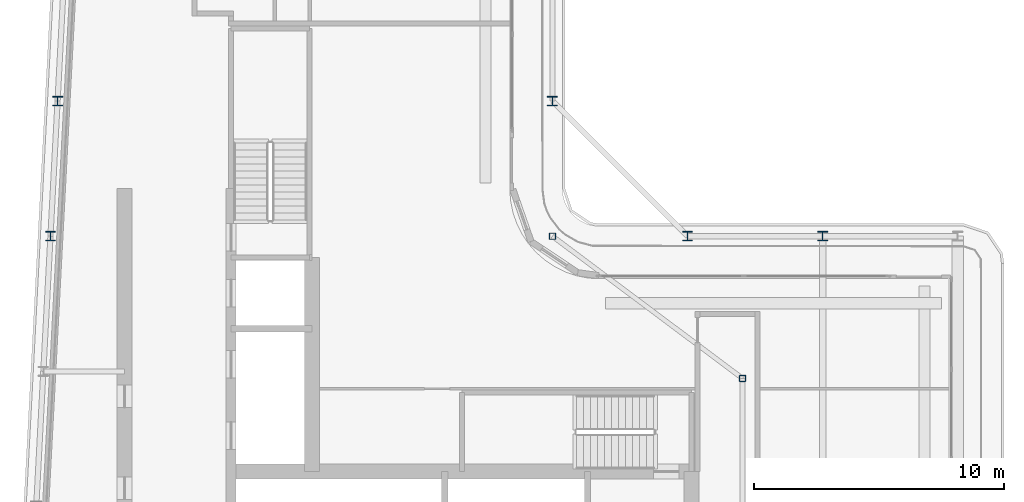
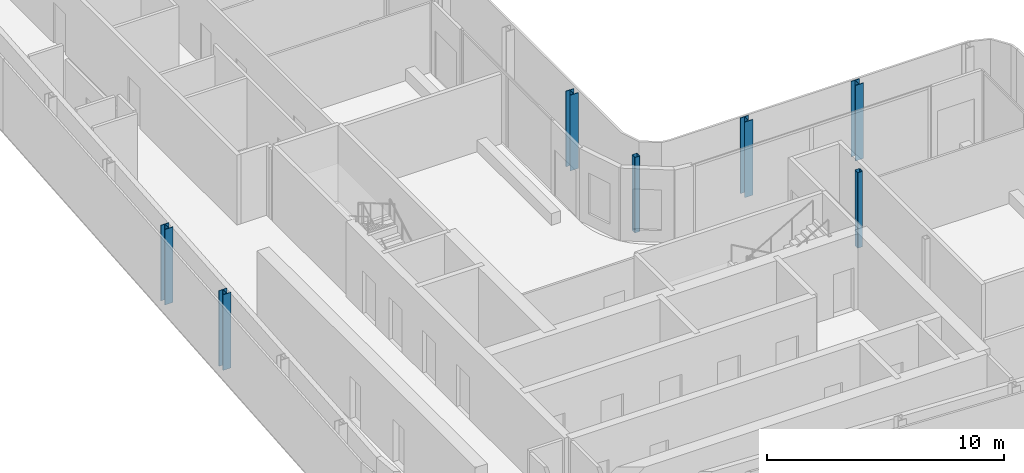
# One storey, part 2 of 21: 7 columns.
"""IFC4 building model written with IfcOpenShell, lengths in metres."""

from ifc_helpers import new_model, si_unit, direction, frame, origin, origin_2d, place, context, subcontext, project, spatial, hollow_rectangle, i_section, extrude, material, material_profile, profile_set, type_object, element, save


model = new_model("IFC4")

# Units and contexts
model_context = context("Model", 3, precision=1e-05, world=origin(), true_north=direction((0.0, 1.0)))
body_context = subcontext(model_context, "Body", "Model", "MODEL_VIEW")
ifc_project = project(units=[si_unit("LENGTHUNIT", "METRE"), si_unit("AREAUNIT", "SQUARE_METRE"), si_unit("VOLUMEUNIT", "CUBIC_METRE"), si_unit("PLANEANGLEUNIT", "RADIAN"), si_unit("MASSUNIT", "GRAM", prefix="KILO")], contexts=[model_context])

# Site, building, storey
site_placement = place(None, origin())
site = spatial("IfcSite", under=ifc_project, at=site_placement, CompositionType="ELEMENT")
building_placement = place(site_placement, origin())
building = spatial("IfcBuilding", under=site, at=building_placement, Name="Kheshtan School and Residences Tower", CompositionType="ELEMENT")
storey_placement = place(building_placement, frame((0.0, 0.0, 282.5)))
storey = spatial("IfcBuildingStorey", under=building, at=storey_placement, Name="L66", CompositionType="ELEMENT", Elevation=282.5)

# Columns
ifc_material_1 = material(Name="Steel ASTM A992 Grade 50", Category="steel")
ifc_material_profile_1 = material_profile(ifc_material_1, i_section(OverallWidth=0.39501953125, OverallDepth=0.3798828125, WebThickness=0.018798828125, FlangeThickness=0.0302734375, FilletRadius=0.011474609375, at=origin_2d()), Name="W360x237")
ifc_profile_set_1 = profile_set([ifc_material_profile_1], Name="Steel ASTM A992 Grade 50")
column_type_1 = type_object("IfcColumnType", Name="Column C5 W360x237 ASTM A992 Grade 50", PredefinedType="COLUMN", material=ifc_profile_set_1)
for number, where, z_axis, x_axis, name in (
    (1, (27.537109375, 45.60009765625, 0.0), (0.0, 0.0, 1.0), (1.0, 0.0, 0.0), "Column C059"),
    (2, (53.0, 45.60009765625, 0.0), (0.0, 0.0, 1.0), (1.0, 0.0, 0.0), "Column C061"),
    (3, (58.39990234375, 45.60009765625, 0.0), (0.0, 0.0, 1.0), (1.0, 0.0, 0.0), "Column C062"),
    (4, (27.822021484375, 51.0, 0.0), (0.0, 0.0, 1.0), (1.0, 0.0, 0.0), "Column C078"),
    (5, (47.60009765625, 51.0, 0.0), (0.0, 0.0, 1.0), (1.0, 0.0, 0.0), "Column C079"),
):
    element("IfcColumn", number, at=place(storey_placement, frame(where, z_axis=z_axis, x_axis=x_axis)), inside=storey, type_object=column_type_1, Name=name, PredefinedType="COLUMN", context=body_context, shape_type="SweptSolid", body=[
        extrude(i_section(OverallWidth=0.39501953125, OverallDepth=0.3798828125, WebThickness=0.018798828125, FlangeThickness=0.0302734375, FilletRadius=0.011474609375, at=origin_2d()), origin(), (0.0, 0.0, 1.0), 3.89990234375),
    ])
ifc_material_2 = material(Name="Steel ASTM A500 Grade C", Category="steel")
ifc_material_profile_2 = material_profile(ifc_material_2, hollow_rectangle(XDim=0.25390625, YDim=0.25390625, WallThickness=0.0126953125, InnerFilletRadius=0.0126953125, OuterFilletRadius=0.025390625, at=origin_2d()), Name="HSS 254x254x12.7")
ifc_profile_set_2 = profile_set([ifc_material_profile_2], Name="Steel ASTM A500 Grade C")
column_type_2 = type_object("IfcColumnType", Name="Column IC3 HSS 254x254x12.7 ASTM A500 Grade C", PredefinedType="COLUMN", material=ifc_profile_set_2)
for number, where, z_axis, x_axis, name in (
    (6, (55.199951171875, 39.916015625, 0.0), (0.0, 0.0, 1.0), (1.0, 0.0, 0.0), "Column C055"),
    (7, (47.60009765625, 45.60009765625, 0.0), (0.0, 0.0, 1.0), (1.0, 0.0, 0.0), "Column C060"),
):
    element("IfcColumn", number, at=place(storey_placement, frame(where, z_axis=z_axis, x_axis=x_axis)), inside=storey, type_object=column_type_2, Name=name, PredefinedType="COLUMN", context=body_context, shape_type="SweptSolid", body=[
        extrude(hollow_rectangle(XDim=0.25390625, YDim=0.25390625, WallThickness=0.0126953125, InnerFilletRadius=0.0126953125, OuterFilletRadius=0.025390625, at=origin_2d()), origin(), (0.0, 0.0, 1.0), 3.89990234375),
    ])

save(model, "model.ifc")
